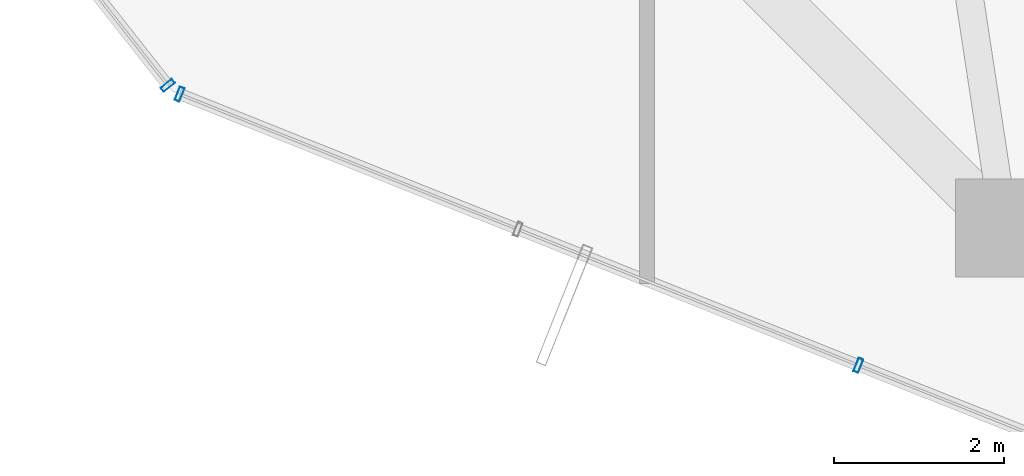
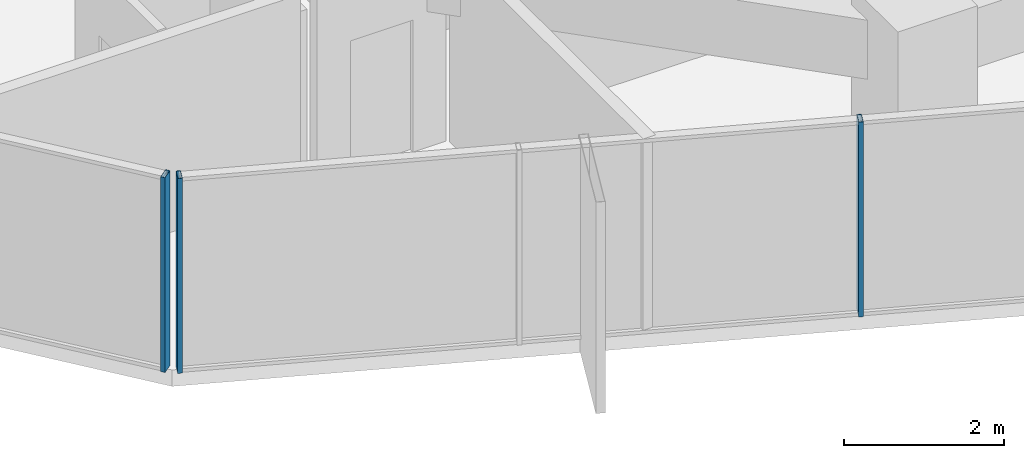
# One storey, part 2 of 34: 3 members, 2 elements without a shape of their own.
"""IFC4 building model written with IfcOpenShell, lengths in metres."""

from ifc_helpers import new_model, si_unit, direction, frame, origin, origin_2d, place, context, subcontext, project, spatial, hollow_rectangle, extrude, source, transform, mapped, material, layer, layer_set, material_profile, profile_set, type_object, element, aggregate, save


model = new_model("IFC4")

# Units and contexts
model_context = context("Model", 3, precision=1e-05, world=origin(), true_north=direction((0.0, 1.0)))
body_context = subcontext(model_context, "Body", "Model", "MODEL_VIEW")
ifc_project = project(units=[si_unit("LENGTHUNIT", "METRE"), si_unit("AREAUNIT", "SQUARE_METRE"), si_unit("VOLUMEUNIT", "CUBIC_METRE"), si_unit("PLANEANGLEUNIT", "RADIAN"), si_unit("MASSUNIT", "GRAM", prefix="KILO")], contexts=[model_context])

# Site, building, storey
site_placement = place(None, origin())
site = spatial("IfcSite", under=ifc_project, at=site_placement, CompositionType="ELEMENT")
building_placement = place(site_placement, origin())
building = spatial("IfcBuilding", under=site, at=building_placement, Name="Veraguas Prism Commons", CompositionType="ELEMENT")
storey_placement = place(building_placement, frame((0.0, 0.0, 155.5)))
storey = spatial("IfcBuildingStorey", under=building, at=storey_placement, Name="L44", CompositionType="ELEMENT", Elevation=155.5)

# Curtain wall, members
ifc_material = material(Name="Anodised aluminium EN AW-6063 T6", Category="aluminium")
ifc_layer = layer(ifc_material, 0.169921875, Name="Unitised Flush Curtain Wall Zone 2", Category="aluminium")
ifc_layer_set = layer_set([ifc_layer], Name="Anodised aluminium EN AW-6063 T6")
curtain_wall_type = type_object("IfcCurtainWallType", Name="Unitised Flush Curtain Wall Zone 2", PredefinedType="NOTDEFINED", material=ifc_layer_set)
curtain_wall_1_placement = place(storey_placement, origin())
curtain_wall_1 = element("IfcCurtainWall", 1, at=curtain_wall_1_placement, inside=storey, type_object=curtain_wall_type, Name="Tower Facade Curtain Wall L44-F4", PredefinedType="NOTDEFINED")
ifc_material_profile = material_profile(ifc_material, hollow_rectangle(XDim=0.06005859375, YDim=0.169921875, WallThickness=0.00390625, at=origin_2d()), Name="AL60X170X4")
ifc_profile_set = profile_set([ifc_material_profile], Name="Anodised aluminium EN AW-6063 T6")
member_type = type_object("IfcMemberType", Name="Curtain Wall Mullion Lower AL 60x170x4", PredefinedType="MULLION", material=ifc_profile_set)
shared_shape = source(origin(), body_context, "Body", "SweptSolid", [
    extrude(hollow_rectangle(XDim=0.06005859375, YDim=0.169921875, WallThickness=0.00390625, at=origin_2d()), origin(), (0.0, 0.0, 1.0), 2.969970703125),
])
member_1_placement = place(storey_placement, frame((8.908203125, 9.373046875, 0.0), z_axis=(0.0, 0.0, 1.0), x_axis=(0.928617344909, -0.371038848013, 0.0)))
member_1 = element("IfcMember", 2, at=member_1_placement, type_object=member_type, Name="CW-Z2 Mullion 1", PredefinedType="MULLION", context=body_context, shape_type="MappedRepresentation", body=[
    mapped(shared_shape, transform((0.0, 0.0, 0.0), scale=1.0)),
])
member_2_placement = place(storey_placement, frame((16.882568359375, 6.18701171875, 0.0), z_axis=(0.0, 0.0, 1.0), x_axis=(0.928617344909, -0.371038848013, 0.0)))
member_2 = element("IfcMember", 3, at=member_2_placement, type_object=member_type, Name="CW-Z2 Mullion 3", PredefinedType="MULLION", context=body_context, shape_type="MappedRepresentation", body=[
    mapped(shared_shape, transform((0.0, 0.0, 0.0), scale=1.0)),
])
aggregate(curtain_wall_1, [member_1, member_2])

# Curtain wall, member
curtain_wall_2_placement = place(storey_placement, origin())
curtain_wall_2 = element("IfcCurtainWall", 4, at=curtain_wall_2_placement, inside=storey, type_object=curtain_wall_type, Name="Chamfer Curtain Wall L44-C4", PredefinedType="NOTDEFINED")
member_3_placement = place(storey_placement, frame((8.76904296875, 9.47705078125, 0.0), z_axis=(0.0, 0.0, 1.0), x_axis=(0.618681302278, -0.785642059854, 0.0)))
member_3 = element("IfcMember", 5, at=member_3_placement, type_object=member_type, Name="CW-Z2 Mullion 2", PredefinedType="MULLION", context=body_context, shape_type="MappedRepresentation", body=[
    mapped(shared_shape, transform((0.0, 0.0, 0.0), scale=1.0)),
])
aggregate(curtain_wall_2, [member_3])

save(model, "model.ifc")
